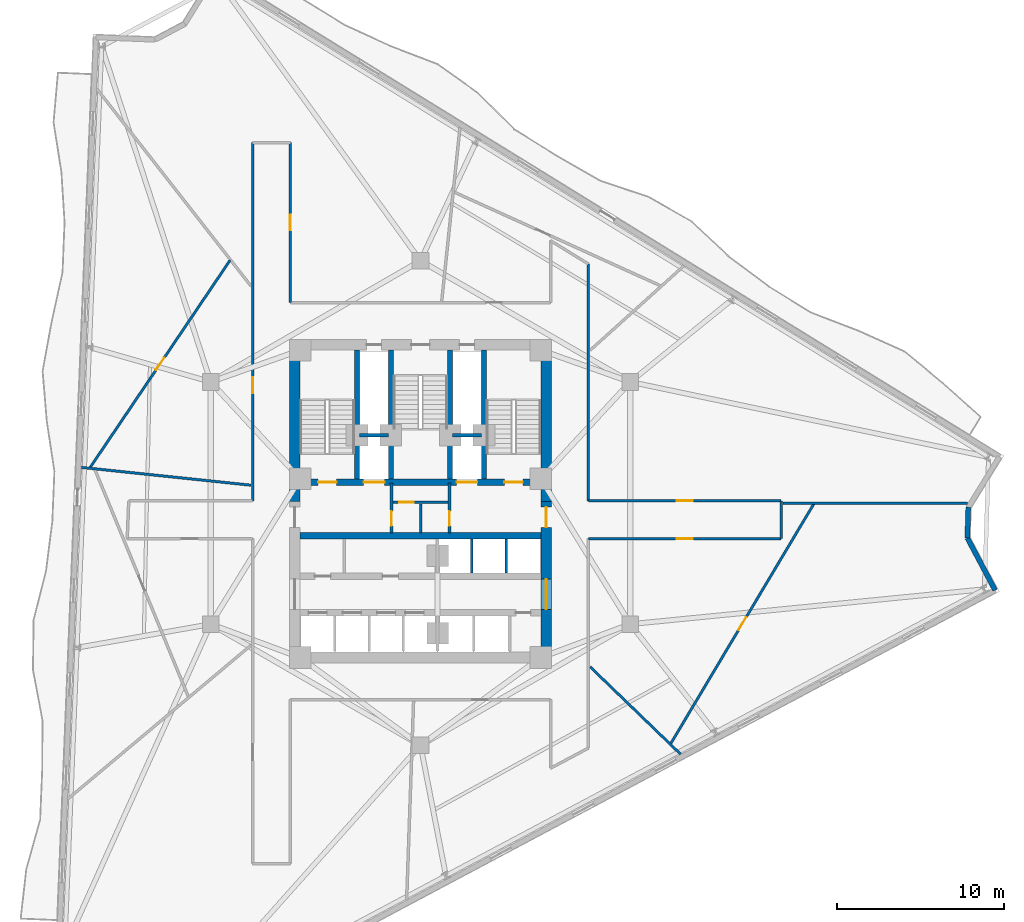
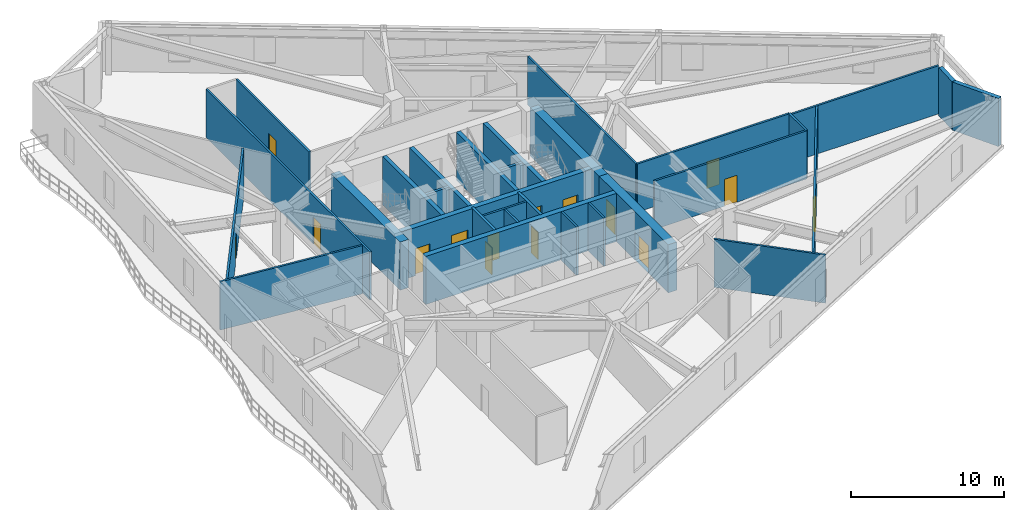
# One storey, part 6 of 10: 30 walls, 15 doors, 15 openings.
"""IFC4 building model written with IfcOpenShell, lengths in metres."""

from ifc_helpers import new_model, si_unit, direction, frame, frame_2d, origin, place, context, subcontext, project, spatial, rectangle, extrude, material, layer, layer_set, type_object, element, fill, save


model = new_model("IFC4")

# Units and contexts
model_context = context("Model", 3, precision=1e-05, world=origin(), true_north=direction((0.0, 1.0)))
body_context = subcontext(model_context, "Body", "Model", "MODEL_VIEW")
ifc_project = project(units=[si_unit("LENGTHUNIT", "METRE"), si_unit("AREAUNIT", "SQUARE_METRE"), si_unit("VOLUMEUNIT", "CUBIC_METRE"), si_unit("PLANEANGLEUNIT", "RADIAN"), si_unit("MASSUNIT", "GRAM", prefix="KILO")], contexts=[model_context])

# Site, building, storey
site_placement = place(None, origin())
site = spatial("IfcSite", under=ifc_project, at=site_placement, CompositionType="ELEMENT")
building_placement = place(site_placement, origin())
building = spatial("IfcBuilding", under=site, at=building_placement, Name="Apsidion Concourse Tower", CompositionType="ELEMENT")
storey_placement = place(building_placement, frame((0.0, 0.0, 177.800048828125)))
storey = spatial("IfcBuildingStorey", under=building, at=storey_placement, Name="L41", CompositionType="ELEMENT", Elevation=177.800048828125)

# Walls
ifc_material_1 = material(Name="Precast concrete C40/50", Category="concrete")
ifc_layer_1 = layer(ifc_material_1, 0.300048828125)
ifc_layer_set_1 = layer_set([ifc_layer_1], Name="Precast concrete C40/50")
wall_type_1 = type_object("IfcWallType", Name="WL-EXT-300", PredefinedType="STANDARD", material=ifc_layer_set_1)
wall_1_placement = place(storey_placement, frame((32.794189453125, -0.25244140625, 0.0), z_axis=(0.0, 0.0, 1.0), x_axis=(-0.031873247483, -0.999491918974, 0.0)))
element("IfcWall", 1, at=wall_1_placement, inside=storey, type_object=wall_type_1, Name="L41 Precast Stone Facade Wall 03", PredefinedType="STANDARD", context=body_context, shape_type="SweptSolid", body=[
    extrude(rectangle(XDim=1.83837890625, YDim=0.300048828125, at=frame_2d((0.919189453125, 0.0))), origin(), (0.0, 0.0, 1.0), 3.849853515625),
])
wall_2_placement = place(storey_placement, frame((32.735595703125, -2.08984375, 0.0), z_axis=(0.0, 0.0, 1.0), x_axis=(0.469464339615, -0.882951433449, 0.0)))
element("IfcWall", 2, at=wall_2_placement, inside=storey, type_object=wall_type_1, Name="L41 Precast Stone Facade Wall 04", PredefinedType="STANDARD", context=body_context, shape_type="SweptSolid", body=[
    extrude(rectangle(XDim=3.54150390625, YDim=0.300048828125, at=frame_2d((1.770751953125, 0.0))), origin(), (0.0, 0.0, 1.0), 3.849853515625),
])
ifc_material_2 = material(Name="Gypsum plasterboard partition")
ifc_layer_2 = layer(ifc_material_2, 0.14990234375)
ifc_layer_set_2 = layer_set([ifc_layer_2], Name="Gypsum plasterboard partition")
wall_type_2 = type_object("IfcWallType", Name="WL-INT-PAR-150", PredefinedType="PARTITIONING", material=ifc_layer_set_2)
for number, where, z_axis, x_axis, name in (
    (3, (3.074951171875, -4.179931640625, 0.0), (0.0, 0.0, 1.0), (0.0, 1.0, 0.0), "L41 Interior Partition WL-L41-B3DIV-1"),
    (4, (5.125, -4.179931640625, 0.0), (0.0, 0.0, 1.0), (0.0, 1.0, 0.0), "L41 Interior Partition WL-L41-B3DIV-2"),
):
    element("IfcWall", number, at=place(storey_placement, frame(where, z_axis=z_axis, x_axis=x_axis)), inside=storey, type_object=wall_type_2, Name=name, PredefinedType="PARTITIONING", context=body_context, shape_type="SweptSolid", body=[
        extrude(rectangle(XDim=2.030029296875, YDim=0.14990234375, at=frame_2d((1.01513671875, 0.0))), origin(), (0.0, 0.0, 1.0), 3.849853515625),
    ])

# Wall, opening, door
wall_3_placement = place(storey_placement, frame((-1.639892578125, 0.0400390625, 0.0), z_axis=(0.0, 0.0, 1.0), x_axis=(1.0, 0.0, 0.0)))
wall_3 = element("IfcWall", 5, at=wall_3_placement, inside=storey, type_object=wall_type_2, Name="L41 Interior Partition WL-L41-K4H", PredefinedType="PARTITIONING", context=body_context, shape_type="SweptSolid", body=[
    extrude(rectangle(XDim=3.27978515625, YDim=0.14990234375, at=frame_2d((1.639892578125, 0.0))), origin(), (0.0, 0.0, 1.0), 3.849853515625),
])
opening_1_placement = place(wall_3_placement, frame((0.360107421875, 0.0, 0.0)))
opening_1 = element("IfcOpeningElement", 6, at=opening_1_placement, cuts=wall_3, Name="Opening D-03L", PredefinedType="OPENING", context=body_context, shape_type="SweptSolid", body=[
    extrude(rectangle(XDim=0.8798828125, YDim=2.10009765625, at=frame_2d((0.43994140625, 1.050048828125))), frame((0.0, 0.0849609375, 0.0), z_axis=(0.0, -1.0, 0.0), x_axis=(1.0, 0.0, 0.0)), (0.0, 0.0, 1.0), 0.169921875),
])
ifc_material_3 = material(Name="Anodised aluminium EN AW-6063 T6", Category="aluminium")
door_type_1 = type_object("IfcDoorType", Name="DR-INT-D03L", OperationType="SINGLE_SWING_LEFT", PredefinedType="DOOR", material=ifc_material_3)
door_1_placement = place(opening_1_placement, origin())
door_1 = element("IfcDoor", 7, at=door_1_placement, inside=storey, type_object=door_type_1, Name="L41 Core Telecoms Door", OperationType="SINGLE_SWING_LEFT", OverallHeight=2.10009765625, OverallWidth=0.8798828125, PredefinedType="DOOR", context=body_context, shape_type="SweptSolid", body=[
    extrude(rectangle(XDim=0.8798828125, YDim=2.10009765625, at=frame_2d((0.43994140625, 1.050048828125))), frame((0.0, 0.02490234375, 0.0), z_axis=(0.0, -1.0, 0.0), x_axis=(1.0, 0.0, 0.0)), (0.0, 0.0, 1.0), 0.050048828125),
])
fill(opening_1, door_1)

# Wall
wall_4_placement = place(storey_placement, frame((0.0, -1.780029296875, 0.0), z_axis=(0.0, 0.0, 1.0), x_axis=(0.0, 1.0, 0.0)))
element("IfcWall", 8, at=wall_4_placement, inside=storey, type_object=wall_type_2, Name="L41 Interior Partition WL-L41-K4V", PredefinedType="PARTITIONING", context=body_context, shape_type="SweptSolid", body=[
    extrude(rectangle(XDim=1.72998046875, YDim=0.14990234375, at=frame_2d((0.864990234375, 0.0))), origin(), (0.0, 0.0, 1.0), 3.849853515625),
])

# Wall, opening, door
wall_5_placement = place(storey_placement, frame((-10.050048828125, 0.1298828125, 0.0), z_axis=(0.0, 0.0, 1.0), x_axis=(0.0, 1.0, 0.0)))
wall_5 = element("IfcWall", 9, at=wall_5_placement, inside=storey, type_object=wall_type_2, Name="L41 Interior Partition WL-L41-CORR-10", PredefinedType="PARTITIONING", context=body_context, shape_type="SweptSolid", body=[
    extrude(rectangle(XDim=21.4501953125, YDim=0.14990234375, at=frame_2d((10.72509765625, 0.0))), origin(), (0.0, 0.0, 1.0), 3.849853515625),
])
opening_2_placement = place(wall_5_placement, frame((6.447021484375, 0.0, 0.0)))
opening_2 = element("IfcOpeningElement", 10, at=opening_2_placement, cuts=wall_5, Name="Opening D-01R", PredefinedType="OPENING", context=body_context, shape_type="SweptSolid", body=[
    extrude(rectangle(XDim=0.949951171875, YDim=2.14990234375, at=frame_2d((0.47509765625, 1.074951171875))), frame((0.0, 0.0849609375, 0.0), z_axis=(0.0, -1.0, 0.0), x_axis=(1.0, 0.0, 0.0)), (0.0, 0.0, 1.0), 0.169921875),
])
ifc_material_4 = material(Name="Brushed stainless steel 316", Category="steel")
door_type_2 = type_object("IfcDoorType", Name="DR-INT-D01R", OperationType="SINGLE_SWING_RIGHT", PredefinedType="DOOR", material=ifc_material_4)
door_2_placement = place(opening_2_placement, origin())
door_2 = element("IfcDoor", 11, at=door_2_placement, inside=storey, type_object=door_type_2, Name="L41 Corridor Entry Door 08", OperationType="SINGLE_SWING_RIGHT", OverallHeight=2.14990234375, OverallWidth=0.949951171875, PredefinedType="DOOR", context=body_context, shape_type="SweptSolid", body=[
    extrude(rectangle(XDim=0.949951171875, YDim=2.14990234375, at=frame_2d((0.47509765625, 1.074951171875))), frame((0.0, 0.02490234375, 0.0), z_axis=(0.0, -1.0, 0.0), x_axis=(1.0, 0.0, 0.0)), (0.0, 0.0, 1.0), 0.050048828125),
])
fill(opening_2, door_2)

wall_6_placement = place(storey_placement, frame((-7.7900390625, 21.580078125, 0.0), z_axis=(0.0, 0.0, 1.0), x_axis=(0.0, -1.0, 0.0)))
wall_6 = element("IfcWall", 12, at=wall_6_placement, inside=storey, type_object=wall_type_2, Name="L41 Interior Partition WL-L41-CORR-12", PredefinedType="PARTITIONING", context=body_context, shape_type="SweptSolid", body=[
    extrude(rectangle(XDim=9.580078125, YDim=0.14990234375, at=frame_2d((4.7900390625, 0.0))), origin(), (0.0, 0.0, 1.0), 3.849853515625),
])
opening_3_placement = place(wall_6_placement, frame((4.31494140625, 0.0, 0.0)))
opening_3 = element("IfcOpeningElement", 13, at=opening_3_placement, cuts=wall_6, Name="Opening D-01L", PredefinedType="OPENING", context=body_context, shape_type="SweptSolid", body=[
    extrude(rectangle(XDim=0.949951171875, YDim=2.14990234375, at=frame_2d((0.47509765625, 1.074951171875))), frame((0.0, 0.0849609375, 0.0), z_axis=(0.0, -1.0, 0.0), x_axis=(1.0, 0.0, 0.0)), (0.0, 0.0, 1.0), 0.169921875),
])
door_type_3 = type_object("IfcDoorType", Name="DR-INT-D01L", OperationType="SINGLE_SWING_LEFT", PredefinedType="DOOR", material=ifc_material_4)
door_3_placement = place(opening_3_placement, origin())
door_3 = element("IfcDoor", 14, at=door_3_placement, inside=storey, type_object=door_type_3, Name="L41 Corridor Entry Door 07", OperationType="SINGLE_SWING_LEFT", OverallHeight=2.14990234375, OverallWidth=0.949951171875, PredefinedType="DOOR", context=body_context, shape_type="SweptSolid", body=[
    extrude(rectangle(XDim=0.949951171875, YDim=2.14990234375, at=frame_2d((0.47509765625, 1.074951171875))), frame((0.0, 0.02490234375, 0.0), z_axis=(0.0, -1.0, 0.0), x_axis=(1.0, 0.0, 0.0)), (0.0, 0.0, 1.0), 0.050048828125),
])
fill(opening_3, door_3)

# Wall
wall_7_placement = place(storey_placement, frame((10.050048828125, 14.3095703125, 0.0), z_axis=(0.0, 0.0, 1.0), x_axis=(0.0, -1.0, 0.0)))
element("IfcWall", 15, at=wall_7_placement, inside=storey, type_object=wall_type_2, Name="L41 Interior Partition WL-L41-CORR-16", PredefinedType="PARTITIONING", context=body_context, shape_type="SweptSolid", body=[
    extrude(rectangle(XDim=14.1796875, YDim=0.14990234375, at=frame_2d((7.08984375, 0.0))), origin(), (0.0, 0.0, 1.0), 3.849853515625),
])

# Wall, opening, door
wall_8_placement = place(storey_placement, frame((10.050048828125, 0.1298828125, 0.0), z_axis=(0.0, 0.0, 1.0), x_axis=(1.0, 0.0, 0.0)))
wall_8 = element("IfcWall", 16, at=wall_8_placement, inside=storey, type_object=wall_type_2, Name="L41 Interior Partition WL-L41-CORR-17", PredefinedType="PARTITIONING", context=body_context, shape_type="SweptSolid", body=[
    extrude(rectangle(XDim=11.530029296875, YDim=0.14990234375, at=frame_2d((5.76513671875, 0.0))), origin(), (0.0, 0.0, 1.0), 3.849853515625),
])
opening_4_placement = place(wall_8_placement, frame((5.2900390625, 0.0, 0.0)))
opening_4 = element("IfcOpeningElement", 17, at=opening_4_placement, cuts=wall_8, Name="Opening D-01L", PredefinedType="OPENING", context=body_context, shape_type="SweptSolid", body=[
    extrude(rectangle(XDim=0.949951171875, YDim=2.14990234375, at=frame_2d((0.47509765625, 1.074951171875))), frame((0.0, 0.0849609375, 0.0), z_axis=(0.0, -1.0, 0.0), x_axis=(1.0, 0.0, 0.0)), (0.0, 0.0, 1.0), 0.169921875),
])
door_4_placement = place(opening_4_placement, origin())
door_4 = element("IfcDoor", 18, at=door_4_placement, inside=storey, type_object=door_type_3, Name="L41 Corridor Entry Door 05", OperationType="SINGLE_SWING_LEFT", OverallHeight=2.14990234375, OverallWidth=0.949951171875, PredefinedType="DOOR", context=body_context, shape_type="SweptSolid", body=[
    extrude(rectangle(XDim=0.949951171875, YDim=2.14990234375, at=frame_2d((0.47509765625, 1.074951171875))), frame((0.0, 0.02490234375, 0.0), z_axis=(0.0, -1.0, 0.0), x_axis=(1.0, 0.0, 0.0)), (0.0, 0.0, 1.0), 0.050048828125),
])
fill(opening_4, door_4)

# Wall
wall_9_placement = place(storey_placement, frame((21.580078125, 0.1298828125, 0.0), z_axis=(0.0, 0.0, 1.0), x_axis=(0.0, -1.0, 0.0)))
element("IfcWall", 19, at=wall_9_placement, inside=storey, type_object=wall_type_2, Name="L41 Interior Partition WL-L41-CORR-18", PredefinedType="PARTITIONING", context=body_context, shape_type="SweptSolid", body=[
    extrude(rectangle(XDim=2.259765625, YDim=0.14990234375, at=frame_2d((1.1298828125, 0.0))), origin(), (0.0, 0.0, 1.0), 3.849853515625),
])

# Wall, opening, door
wall_10_placement = place(storey_placement, frame((21.580078125, -2.1298828125, 0.0), z_axis=(0.0, 0.0, 1.0), x_axis=(-1.0, 0.0, 0.0)))
wall_10 = element("IfcWall", 20, at=wall_10_placement, inside=storey, type_object=wall_type_2, Name="L41 Interior Partition WL-L41-CORR-19", PredefinedType="PARTITIONING", context=body_context, shape_type="SweptSolid", body=[
    extrude(rectangle(XDim=11.530029296875, YDim=0.14990234375, at=frame_2d((5.76513671875, 0.0))), origin(), (0.0, 0.0, 1.0), 3.849853515625),
])
opening_5_placement = place(wall_10_placement, frame((5.2900390625, 0.0, 0.0)))
opening_5 = element("IfcOpeningElement", 21, at=opening_5_placement, cuts=wall_10, Name="Opening D-01R", PredefinedType="OPENING", context=body_context, shape_type="SweptSolid", body=[
    extrude(rectangle(XDim=0.949951171875, YDim=2.14990234375, at=frame_2d((0.47509765625, 1.074951171875))), frame((0.0, 0.0849609375, 0.0), z_axis=(0.0, -1.0, 0.0), x_axis=(1.0, 0.0, 0.0)), (0.0, 0.0, 1.0), 0.169921875),
])
door_5_placement = place(opening_5_placement, origin())
door_5 = element("IfcDoor", 22, at=door_5_placement, inside=storey, type_object=door_type_2, Name="L41 Corridor Entry Door 04", OperationType="SINGLE_SWING_RIGHT", OverallHeight=2.14990234375, OverallWidth=0.949951171875, PredefinedType="DOOR", context=body_context, shape_type="SweptSolid", body=[
    extrude(rectangle(XDim=0.949951171875, YDim=2.14990234375, at=frame_2d((0.47509765625, 1.074951171875))), frame((0.0, 0.02490234375, 0.0), z_axis=(0.0, -1.0, 0.0), x_axis=(1.0, 0.0, 0.0)), (0.0, 0.0, 1.0), 0.050048828125),
])
fill(opening_5, door_5)

# Walls
wall_11_placement = place(storey_placement, frame((21.68505859375, 0.0, 0.0), z_axis=(0.0, 0.0, 1.0), x_axis=(1.0, 0.0, 0.0)))
element("IfcWall", 23, at=wall_11_placement, inside=storey, type_object=wall_type_2, Name="L41 Interior Partition WL-L41-RAD-01-1", PredefinedType="PARTITIONING", context=body_context, shape_type="SweptSolid", body=[
    extrude(rectangle(XDim=11.071044921875, YDim=0.14990234375, at=frame_2d((5.53564453125, 0.0))), origin(), (0.0, 0.0, 1.0), 3.849853515625),
])
wall_12_placement = place(storey_placement, frame((-10.155029296875, 1.0673828125, 0.0), z_axis=(0.0, 0.0, 1.0), x_axis=(-0.994523134685, 0.104516671288, 0.0)))
element("IfcWall", 24, at=wall_12_placement, inside=storey, type_object=wall_type_2, Name="L41 Interior Partition WL-L41-RAD-05-1", PredefinedType="PARTITIONING", context=body_context, shape_type="SweptSolid", body=[
    extrude(rectangle(XDim=10.20556640625, YDim=0.14990234375, at=frame_2d((5.102783203125, 0.0))), origin(), (0.0, 0.0, 1.0), 3.849853515625),
])
wall_13_placement = place(storey_placement, frame((10.155029296875, -9.806640625, 0.0), z_axis=(0.0, 0.0, 1.0), x_axis=(0.719347844344, -0.694650040551, 0.0)))
element("IfcWall", 25, at=wall_13_placement, inside=storey, type_object=wall_type_2, Name="L41 Interior Partition WL-L41-RAD-08-1", PredefinedType="PARTITIONING", context=body_context, shape_type="SweptSolid", body=[
    extrude(rectangle(XDim=7.532470703125, YDim=0.14990234375, at=frame_2d((3.76611328125, 0.0))), origin(), (0.0, 0.0, 1.0), 3.849853515625),
])

# Wall, opening, door
wall_14_placement = place(storey_placement, frame((14.968994140625, -14.420654296875, 0.0), z_axis=(0.0, 0.0, 1.0), x_axis=(0.512416804852, 0.858736873614, 0.0)))
wall_14 = element("IfcWall", 26, at=wall_14_placement, inside=storey, type_object=wall_type_2, Name="L41 Interior Partition WL-L41-CHD-OFS03", PredefinedType="PARTITIONING", context=body_context, shape_type="SweptSolid", body=[
    extrude(rectangle(XDim=16.763916015625, YDim=0.14990234375, at=frame_2d((8.3818359375, 0.0))), origin(), (0.0, 0.0, 1.0), 3.849853515625),
])
opening_6_placement = place(wall_14_placement, frame((7.931884765625, 0.0, 0.0)))
opening_6 = element("IfcOpeningElement", 27, at=opening_6_placement, cuts=wall_14, Name="Opening D-02R", PredefinedType="OPENING", context=body_context, shape_type="SweptSolid", body=[
    extrude(rectangle(XDim=0.89990234375, YDim=2.10009765625, at=frame_2d((0.449951171875, 1.050048828125))), frame((0.0, 0.0849609375, 0.0), z_axis=(0.0, -1.0, 0.0), x_axis=(1.0, 0.0, 0.0)), (0.0, 0.0, 1.0), 0.169921875),
])
door_type_4 = type_object("IfcDoorType", Name="DR-INT-D02R", OperationType="SINGLE_SWING_RIGHT", PredefinedType="DOOR", material=ifc_material_3)
door_6_placement = place(opening_6_placement, origin())
door_6 = element("IfcDoor", 28, at=door_6_placement, inside=storey, type_object=door_type_4, Name="L41 Suite Connecting Door OFS03", OperationType="SINGLE_SWING_RIGHT", OverallHeight=2.10009765625, OverallWidth=0.89990234375, PredefinedType="DOOR", context=body_context, shape_type="SweptSolid", body=[
    extrude(rectangle(XDim=0.89990234375, YDim=2.10009765625, at=frame_2d((0.449951171875, 1.050048828125))), frame((0.0, 0.02490234375, 0.0), z_axis=(0.0, -1.0, 0.0), x_axis=(1.0, 0.0, 0.0)), (0.0, 0.0, 1.0), 0.050048828125),
])
fill(opening_6, door_6)

wall_15_placement = place(storey_placement, frame((-11.393310546875, 14.542236328125, 0.0), z_axis=(0.0, 0.0, 1.0), x_axis=(-0.559630987917, -0.828741912397, 0.0)))
wall_15 = element("IfcWall", 29, at=wall_15_placement, inside=storey, type_object=wall_type_2, Name="L41 Interior Partition WL-L41-CHD-OFS07", PredefinedType="PARTITIONING", context=body_context, shape_type="SweptSolid", body=[
    extrude(rectangle(XDim=15.007080078125, YDim=0.14990234375, at=frame_2d((7.50341796875, 0.0))), origin(), (0.0, 0.0, 1.0), 3.849853515625),
])
opening_7_placement = place(wall_15_placement, frame((7.053466796875, 0.0, 0.0)))
opening_7 = element("IfcOpeningElement", 30, at=opening_7_placement, cuts=wall_15, Name="Opening D-02R", PredefinedType="OPENING", context=body_context, shape_type="SweptSolid", body=[
    extrude(rectangle(XDim=0.89990234375, YDim=2.10009765625, at=frame_2d((0.449951171875, 1.050048828125))), frame((0.0, 0.0849609375, 0.0), z_axis=(0.0, -1.0, 0.0), x_axis=(1.0, 0.0, 0.0)), (0.0, 0.0, 1.0), 0.169921875),
])
door_7_placement = place(opening_7_placement, origin())
door_7 = element("IfcDoor", 31, at=door_7_placement, inside=storey, type_object=door_type_4, Name="L41 Suite Connecting Door OFS07", OperationType="SINGLE_SWING_RIGHT", OverallHeight=2.10009765625, OverallWidth=0.89990234375, PredefinedType="DOOR", context=body_context, shape_type="SweptSolid", body=[
    extrude(rectangle(XDim=0.89990234375, YDim=2.10009765625, at=frame_2d((0.449951171875, 1.050048828125))), frame((0.0, 0.02490234375, 0.0), z_axis=(0.0, -1.0, 0.0), x_axis=(1.0, 0.0, 0.0)), (0.0, 0.0, 1.0), 0.050048828125),
])
fill(opening_7, door_7)

# Walls
ifc_layer_3 = layer(ifc_material_2, 0.199951171875)
ifc_layer_set_3 = layer_set([ifc_layer_3], Name="Gypsum plasterboard partition")
wall_type_3 = type_object("IfcWallType", Name="WL-INT-PAR-200", PredefinedType="PARTITIONING", material=ifc_layer_set_3)
for number, where, z_axis, x_axis, name in (
    (32, (-3.64990234375, 4.050048828125, 0.0), (0.0, 0.0, 1.0), (1.0, 0.0, 0.0), "L41 Interior Partition WL-L41-FF1-N"),
    (33, (1.919921875, 4.050048828125, 0.0), (0.0, 0.0, 1.0), (1.0, 0.0, 0.0), "L41 Interior Partition WL-L41-FF2-N"),
):
    element("IfcWall", number, at=place(storey_placement, frame(where, z_axis=z_axis, x_axis=x_axis)), inside=storey, type_object=wall_type_3, Name=name, PredefinedType="PARTITIONING", context=body_context, shape_type="SweptSolid", body=[
        extrude(rectangle(XDim=1.72998046875, YDim=0.199951171875, at=frame_2d((0.864990234375, 0.0))), origin(), (0.0, 0.0, 1.0), 3.849853515625),
    ])

# Wall, opening, door
wall_16_placement = place(storey_placement, frame((-1.739990234375, -1.780029296875, 0.0), z_axis=(0.0, 0.0, 1.0), x_axis=(0.0, 1.0, 0.0)))
wall_16 = element("IfcWall", 34, at=wall_16_placement, inside=storey, type_object=wall_type_3, Name="L41 Interior Partition WL-L41-FF1-E", PredefinedType="PARTITIONING", context=body_context, shape_type="SweptSolid", body=[
    extrude(rectangle(XDim=2.97998046875, YDim=0.199951171875, at=frame_2d((1.489990234375, 0.0))), origin(), (0.0, 0.0, 1.0), 3.849853515625),
])
opening_8_placement = place(wall_16_placement, frame((0.419921875, 0.0, 0.0)))
opening_8 = element("IfcOpeningElement", 35, at=opening_8_placement, cuts=wall_16, Name="Opening D-05R", PredefinedType="OPENING", context=body_context, shape_type="SweptSolid", body=[
    extrude(rectangle(XDim=0.8798828125, YDim=2.14990234375, at=frame_2d((0.43994140625, 1.074951171875))), frame((0.0, 0.10986328125, 0.0), z_axis=(0.0, -1.0, 0.0), x_axis=(1.0, 0.0, 0.0)), (0.0, 0.0, 1.0), 0.219970703125),
])
door_type_5 = type_object("IfcDoorType", Name="DR-INT-D05R", OperationType="SINGLE_SWING_RIGHT", PredefinedType="DOOR", material=ifc_material_4)
door_8_placement = place(opening_8_placement, origin())
door_8 = element("IfcDoor", 36, at=door_8_placement, inside=storey, type_object=door_type_5, Name="L41 Core Switch Room Door", OperationType="SINGLE_SWING_RIGHT", OverallHeight=2.14990234375, OverallWidth=0.8798828125, PredefinedType="DOOR", context=body_context, shape_type="SweptSolid", body=[
    extrude(rectangle(XDim=0.8798828125, YDim=2.14990234375, at=frame_2d((0.43994140625, 1.074951171875))), frame((0.0, 0.02490234375, 0.0), z_axis=(0.0, -1.0, 0.0), x_axis=(1.0, 0.0, 0.0)), (0.0, 0.0, 1.0), 0.050048828125),
])
fill(opening_8, door_8)

wall_17_placement = place(storey_placement, frame((1.739990234375, -1.780029296875, 0.0), z_axis=(0.0, 0.0, 1.0), x_axis=(0.0, 1.0, 0.0)))
wall_17 = element("IfcWall", 37, at=wall_17_placement, inside=storey, type_object=wall_type_3, Name="L41 Interior Partition WL-L41-FF2-W", PredefinedType="PARTITIONING", context=body_context, shape_type="SweptSolid", body=[
    extrude(rectangle(XDim=2.97998046875, YDim=0.199951171875, at=frame_2d((1.489990234375, 0.0))), origin(), (0.0, 0.0, 1.0), 3.849853515625),
])
opening_9_placement = place(wall_17_placement, frame((0.419921875, 0.0, 0.0)))
opening_9 = element("IfcOpeningElement", 38, at=opening_9_placement, cuts=wall_17, Name="Opening D-05L", PredefinedType="OPENING", context=body_context, shape_type="SweptSolid", body=[
    extrude(rectangle(XDim=0.8798828125, YDim=2.14990234375, at=frame_2d((0.43994140625, 1.074951171875))), frame((0.0, 0.10986328125, 0.0), z_axis=(0.0, -1.0, 0.0), x_axis=(1.0, 0.0, 0.0)), (0.0, 0.0, 1.0), 0.219970703125),
])
door_type_6 = type_object("IfcDoorType", Name="DR-INT-D05L", OperationType="SINGLE_SWING_LEFT", PredefinedType="DOOR", material=ifc_material_4)
door_9_placement = place(opening_9_placement, origin())
door_9 = element("IfcDoor", 39, at=door_9_placement, inside=storey, type_object=door_type_6, Name="L41 Core First Aid Door", OperationType="SINGLE_SWING_LEFT", OverallHeight=2.14990234375, OverallWidth=0.8798828125, PredefinedType="DOOR", context=body_context, shape_type="SweptSolid", body=[
    extrude(rectangle(XDim=0.8798828125, YDim=2.14990234375, at=frame_2d((0.43994140625, 1.074951171875))), frame((0.0, 0.02490234375, 0.0), z_axis=(0.0, -1.0, 0.0), x_axis=(1.0, 0.0, 0.0)), (0.0, 0.0, 1.0), 0.050048828125),
])
fill(opening_9, door_9)

# Walls
ifc_material_5 = material(Name="Concrete C50/60", Category="concrete")
ifc_layer_4 = layer(ifc_material_5, 0.300048828125)
ifc_layer_set_4 = layer_set([ifc_layer_4], Name="Concrete C50/60")
wall_type_4 = type_object("IfcWallType", Name="WL-SH-300", PredefinedType="SHEAR", material=ifc_layer_set_4)
for number, where, z_axis, x_axis, name in (
    (40, (-3.800048828125, 1.449951171875, 0.0), (0.0, 0.0, 1.0), (0.0, 1.0, 0.0), "L41 Central Core Shear Wall V1"),
    (41, (-1.77490234375, 1.449951171875, 0.0), (0.0, 0.0, 1.0), (0.0, 1.0, 0.0), "L41 Central Core Shear Wall V2"),
    (42, (1.77490234375, 1.449951171875, 0.0), (0.0, 0.0, 1.0), (0.0, 1.0, 0.0), "L41 Central Core Shear Wall V3"),
    (43, (3.800048828125, 1.449951171875, 0.0), (0.0, 0.0, 1.0), (0.0, 1.0, 0.0), "L41 Central Core Shear Wall V4"),
):
    element("IfcWall", number, at=place(storey_placement, frame(where, z_axis=z_axis, x_axis=x_axis)), inside=storey, type_object=wall_type_4, Name=name, PredefinedType="SHEAR", context=body_context, shape_type="SweptSolid", body=[
        extrude(rectangle(XDim=7.699951171875, YDim=0.300048828125, at=frame_2d((3.85009765625, 0.0))), origin(), (0.0, 0.0, 1.0), 3.849853515625),
    ])

# Wall, openings, doors
ifc_layer_5 = layer(ifc_material_5, 0.39990234375)
ifc_layer_set_5 = layer_set([ifc_layer_5], Name="Concrete C50/60")
wall_type_5 = type_object("IfcWallType", Name="WL-SH-400", PredefinedType="SHEAR", material=ifc_layer_set_5)
wall_18_placement = place(storey_placement, frame((-7.199951171875, 1.25, 0.0), z_axis=(0.0, 0.0, 1.0), x_axis=(1.0, 0.0, 0.0)))
wall_18 = element("IfcWall", 44, at=wall_18_placement, inside=storey, type_object=wall_type_5, Name="L41 Central Core Shear Wall M1", PredefinedType="SHEAR", context=body_context, shape_type="SweptSolid", body=[
    extrude(rectangle(XDim=14.39990234375, YDim=0.39990234375, at=frame_2d((7.199951171875, 0.0))), origin(), (0.0, 0.0, 1.0), 3.849853515625),
])
opening_10_placement = place(wall_18_placement, frame((3.794921875, 0.0, 0.0)))
opening_10 = element("IfcOpeningElement", 45, at=opening_10_placement, cuts=wall_18, Name="Opening LD-FF", PredefinedType="OPENING", context=body_context, shape_type="SweptSolid", body=[
    extrude(rectangle(XDim=1.25, YDim=2.25, at=frame_2d((0.625, 1.125))), frame((0.0, 0.2099609375, 0.0), z_axis=(0.0, -1.0, 0.0), x_axis=(1.0, 0.0, 0.0)), (0.0, 0.0, 1.0), 0.419921875),
])
opening_11_placement = place(wall_18_placement, frame((9.35498046875, 0.0, 0.0)))
opening_11 = element("IfcOpeningElement", 46, at=opening_11_placement, cuts=wall_18, Name="Opening LD-FF", PredefinedType="OPENING", context=body_context, shape_type="SweptSolid", body=[
    extrude(rectangle(XDim=1.25, YDim=2.25, at=frame_2d((0.625, 1.125))), frame((0.0, 0.2099609375, 0.0), z_axis=(0.0, -1.0, 0.0), x_axis=(1.0, 0.0, 0.0)), (0.0, 0.0, 1.0), 0.419921875),
])
opening_12_placement = place(wall_18_placement, frame((1.074951171875, 0.0, 0.0)))
opening_12 = element("IfcOpeningElement", 47, at=opening_12_placement, cuts=wall_18, Name="Opening D-STL", PredefinedType="OPENING", context=body_context, shape_type="SweptSolid", body=[
    extrude(rectangle(XDim=1.10009765625, YDim=2.14990234375, at=frame_2d((0.550048828125, 1.074951171875))), frame((0.0, 0.2099609375, 0.0), z_axis=(0.0, -1.0, 0.0), x_axis=(1.0, 0.0, 0.0)), (0.0, 0.0, 1.0), 0.419921875),
])
opening_13_placement = place(wall_18_placement, frame((12.22509765625, 0.0, 0.0)))
opening_13 = element("IfcOpeningElement", 48, at=opening_13_placement, cuts=wall_18, Name="Opening D-STR", PredefinedType="OPENING", context=body_context, shape_type="SweptSolid", body=[
    extrude(rectangle(XDim=1.10009765625, YDim=2.14990234375, at=frame_2d((0.550048828125, 1.074951171875))), frame((0.0, 0.2099609375, 0.0), z_axis=(0.0, -1.0, 0.0), x_axis=(1.0, 0.0, 0.0)), (0.0, 0.0, 1.0), 0.419921875),
])
door_type_7 = type_object("IfcDoorType", Name="DR-INT-ST1L", OperationType="SINGLE_SWING_LEFT", PredefinedType="DOOR", material=ifc_material_4)
door_10_placement = place(opening_12_placement, origin())
door_10 = element("IfcDoor", 49, at=door_10_placement, inside=storey, type_object=door_type_7, Name="L41 Core Exit Stair ST1 Door", OperationType="SINGLE_SWING_LEFT", OverallHeight=2.14990234375, OverallWidth=1.10009765625, PredefinedType="DOOR", context=body_context, shape_type="SweptSolid", body=[
    extrude(rectangle(XDim=1.10009765625, YDim=2.14990234375, at=frame_2d((0.550048828125, 1.074951171875))), frame((0.0, 0.02490234375, 0.0), z_axis=(0.0, -1.0, 0.0), x_axis=(1.0, 0.0, 0.0)), (0.0, 0.0, 1.0), 0.050048828125),
])
fill(opening_12, door_10)
door_type_8 = type_object("IfcDoorType", Name="DR-INT-ST1R", OperationType="SINGLE_SWING_RIGHT", PredefinedType="DOOR", material=ifc_material_4)
door_11_placement = place(opening_13_placement, origin())
door_11 = element("IfcDoor", 50, at=door_11_placement, inside=storey, type_object=door_type_8, Name="L41 Core Exit Stair ST2 Door", OperationType="SINGLE_SWING_RIGHT", OverallHeight=2.14990234375, OverallWidth=1.10009765625, PredefinedType="DOOR", context=body_context, shape_type="SweptSolid", body=[
    extrude(rectangle(XDim=1.10009765625, YDim=2.14990234375, at=frame_2d((0.550048828125, 1.074951171875))), frame((0.0, 0.02490234375, 0.0), z_axis=(0.0, -1.0, 0.0), x_axis=(1.0, 0.0, 0.0)), (0.0, 0.0, 1.0), 0.050048828125),
])
fill(opening_13, door_11)
door_type_9 = type_object("IfcDoorType", Name="DR-LD-FSAE", OperationType="DOUBLE_DOOR_SLIDING", PredefinedType="DOOR", material=ifc_material_4)
door_12_placement = place(opening_10_placement, origin())
door_12 = element("IfcDoor", 51, at=door_12_placement, inside=storey, type_object=door_type_9, Name="L41 Lift Landing Door FF1", OperationType="DOUBLE_DOOR_SLIDING", OverallHeight=2.25, OverallWidth=1.25, PredefinedType="DOOR", context=body_context, shape_type="SweptSolid", body=[
    extrude(rectangle(XDim=1.25, YDim=2.25, at=frame_2d((0.625, 1.125))), frame((0.0, 0.02490234375, 0.0), z_axis=(0.0, -1.0, 0.0), x_axis=(1.0, 0.0, 0.0)), (0.0, 0.0, 1.0), 0.050048828125),
])
fill(opening_10, door_12)
door_13_placement = place(opening_11_placement, origin())
door_13 = element("IfcDoor", 52, at=door_13_placement, inside=storey, type_object=door_type_9, Name="L41 Lift Landing Door FF2", OperationType="DOUBLE_DOOR_SLIDING", OverallHeight=2.25, OverallWidth=1.25, PredefinedType="DOOR", context=body_context, shape_type="SweptSolid", body=[
    extrude(rectangle(XDim=1.25, YDim=2.25, at=frame_2d((0.625, 1.125))), frame((0.0, 0.02490234375, 0.0), z_axis=(0.0, -1.0, 0.0), x_axis=(1.0, 0.0, 0.0)), (0.0, 0.0, 1.0), 0.050048828125),
])
fill(opening_11, door_13)

# Walls
wall_19_placement = place(storey_placement, frame((-7.199951171875, -1.949951171875, 0.0), z_axis=(0.0, 0.0, 1.0), x_axis=(1.0, 0.0, 0.0)))
element("IfcWall", 53, at=wall_19_placement, inside=storey, type_object=wall_type_5, Name="L41 Central Core Shear Wall M2", PredefinedType="SHEAR", context=body_context, shape_type="SweptSolid", body=[
    extrude(rectangle(XDim=14.39990234375, YDim=0.39990234375, at=frame_2d((7.199951171875, 0.0))), origin(), (0.0, 0.0, 1.0), 3.849853515625),
])
ifc_layer_6 = layer(ifc_material_5, 0.64990234375)
ifc_layer_set_6 = layer_set([ifc_layer_6], Name="Concrete C50/60")
wall_type_6 = type_object("IfcWallType", Name="WL-SH-650", PredefinedType="SHEAR", material=ifc_layer_set_6)
for number, where, z_axis, x_axis, name in (
    (54, (-7.52490234375, 0.10009765625, 0.0), (0.0, 0.0, 1.0), (0.0, 1.0, 0.0), "L41 Central Core Shear Wall WN"),
    (55, (7.52490234375, 0.10009765625, 0.0), (0.0, 0.0, 1.0), (0.0, 1.0, 0.0), "L41 Central Core Shear Wall EN"),
):
    element("IfcWall", number, at=place(storey_placement, frame(where, z_axis=z_axis, x_axis=x_axis)), inside=storey, type_object=wall_type_6, Name=name, PredefinedType="SHEAR", context=body_context, shape_type="SweptSolid", body=[
        extrude(rectangle(XDim=9.0498046875, YDim=0.64990234375, at=frame_2d((4.52490234375, 0.0))), origin(), (0.0, 0.0, 1.0), 3.849853515625),
    ])

# Wall, openings, doors
wall_20_placement = place(storey_placement, frame((7.52490234375, -8.925048828125, 0.0), z_axis=(0.0, 0.0, 1.0), x_axis=(0.0, 1.0, 0.0)))
wall_20 = element("IfcWall", 56, at=wall_20_placement, inside=storey, type_object=wall_type_6, Name="L41 Central Core Shear Wall ES", PredefinedType="SHEAR", context=body_context, shape_type="SweptSolid", body=[
    extrude(rectangle(XDim=9.025146484375, YDim=0.64990234375, at=frame_2d((4.5126953125, 0.0))), origin(), (0.0, 0.0, 1.0), 3.849853515625),
])
opening_14_placement = place(wall_20_placement, frame((2.56494140625, 0.0, 0.0)))
opening_14 = element("IfcOpeningElement", 57, at=opening_14_placement, cuts=wall_20, Name="Opening D-06D", PredefinedType="OPENING", context=body_context, shape_type="SweptSolid", body=[
    extrude(rectangle(XDim=1.800048828125, YDim=2.199951171875, at=frame_2d((0.89990234375, 1.10009765625))), frame((0.0, 0.3349609375, 0.0), z_axis=(0.0, -1.0, 0.0), x_axis=(1.0, 0.0, 0.0)), (0.0, 0.0, 1.0), 0.669921875),
])
opening_15_placement = place(wall_20_placement, frame((7.47509765625, 0.0, 0.0)))
opening_15 = element("IfcOpeningElement", 58, at=opening_15_placement, cuts=wall_20, Name="Opening D-FFR", PredefinedType="OPENING", context=body_context, shape_type="SweptSolid", body=[
    extrude(rectangle(XDim=1.199951171875, YDim=2.14990234375, at=frame_2d((0.60009765625, 1.074951171875))), frame((0.0, 0.3349609375, 0.0), z_axis=(0.0, -1.0, 0.0), x_axis=(1.0, 0.0, 0.0)), (0.0, 0.0, 1.0), 0.669921875),
])
door_type_10 = type_object("IfcDoorType", Name="DR-INT-D06D", OperationType="DOUBLE_DOOR_SINGLE_SWING", PredefinedType="DOOR", material=ifc_material_4)
door_14_placement = place(opening_14_placement, origin())
door_14 = element("IfcDoor", 59, at=door_14_placement, inside=storey, type_object=door_type_10, Name="L41 Passenger Lift Lobby ES Portal Door", OperationType="DOUBLE_DOOR_SINGLE_SWING", OverallHeight=2.199951171875, OverallWidth=1.800048828125, PredefinedType="DOOR", context=body_context, shape_type="SweptSolid", body=[
    extrude(rectangle(XDim=1.800048828125, YDim=2.199951171875, at=frame_2d((0.89990234375, 1.10009765625))), frame((0.0, 0.02490234375, 0.0), z_axis=(0.0, -1.0, 0.0), x_axis=(1.0, 0.0, 0.0)), (0.0, 0.0, 1.0), 0.050048828125),
])
fill(opening_14, door_14)
door_type_11 = type_object("IfcDoorType", Name="DR-INT-FFR", OperationType="SINGLE_SWING_RIGHT", PredefinedType="DOOR", material=ifc_material_4)
door_15_placement = place(opening_15_placement, origin())
door_15 = element("IfcDoor", 60, at=door_15_placement, inside=storey, type_object=door_type_11, Name="L41 Firefighting Lift Lobby FF2 Door", OperationType="SINGLE_SWING_RIGHT", OverallHeight=2.14990234375, OverallWidth=1.199951171875, PredefinedType="DOOR", context=body_context, shape_type="SweptSolid", body=[
    extrude(rectangle(XDim=1.199951171875, YDim=2.14990234375, at=frame_2d((0.60009765625, 1.074951171875))), frame((0.0, 0.02490234375, 0.0), z_axis=(0.0, -1.0, 0.0), x_axis=(1.0, 0.0, 0.0)), (0.0, 0.0, 1.0), 0.050048828125),
])
fill(opening_15, door_15)

save(model, "model.ifc")
